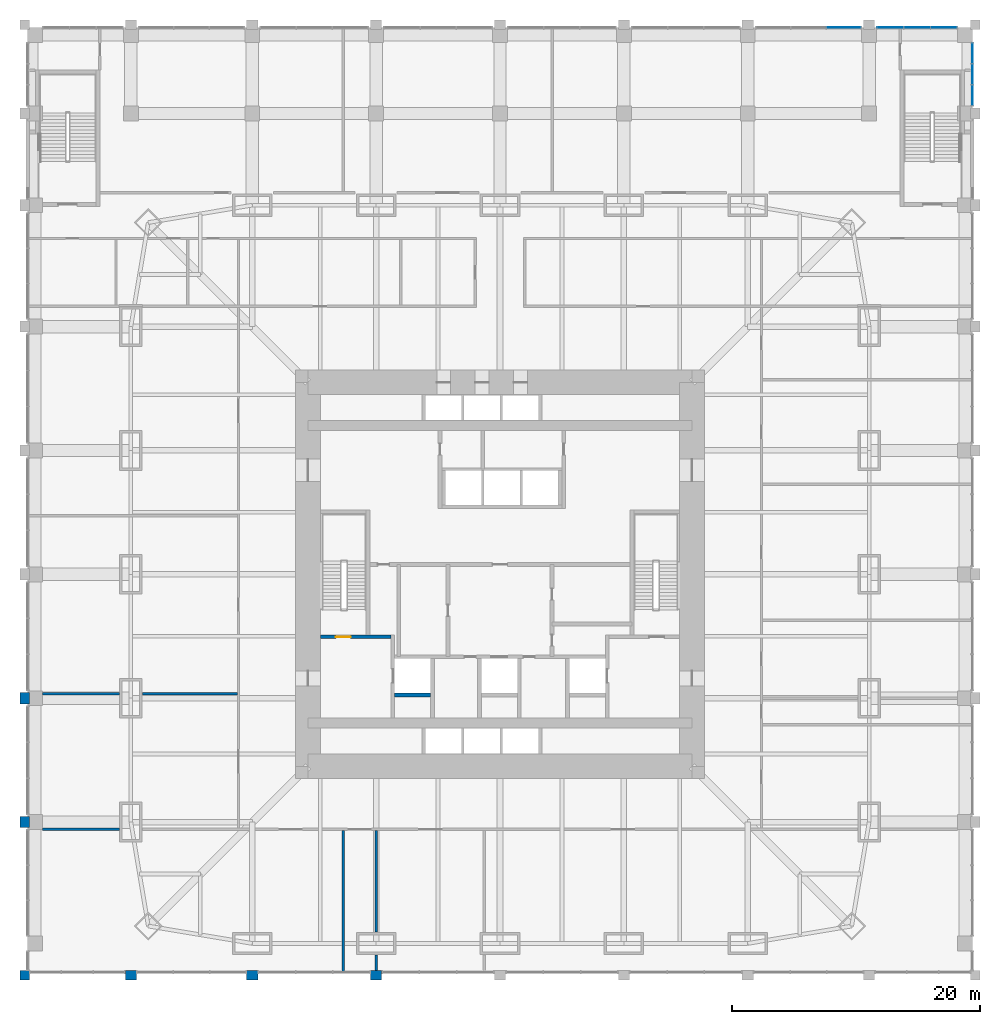
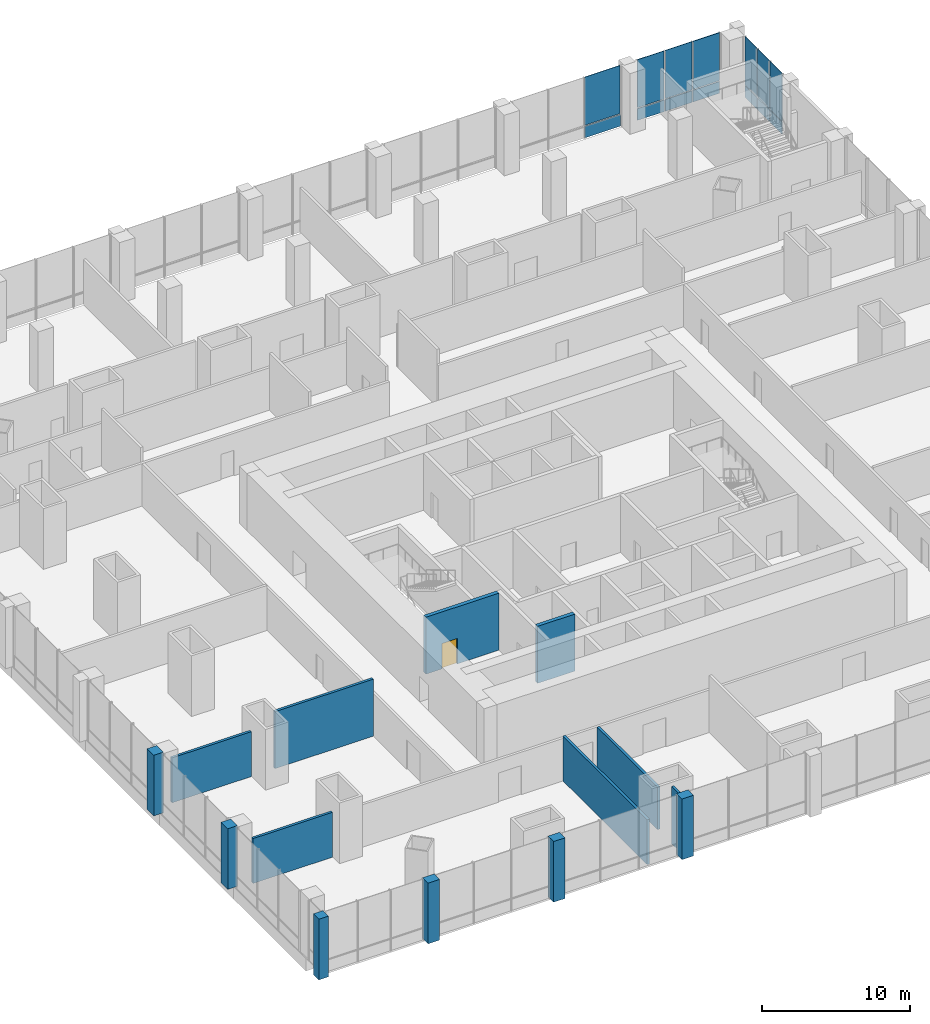
# One storey, part 16 of 24: 14 plates, 14 walls, 1 door, 1 opening, 3 elements without a shape of their own.
"""IFC4 building model written with IfcOpenShell, lengths in metres."""

from ifc_helpers import new_model, si_unit, direction, frame, frame_2d, origin, origin_2d, place, context, subcontext, project, spatial, rectangle, extrude, material, layer, layer_set, type_object, element, fill, aggregate, save


model = new_model("IFC4")

# Units and contexts
model_context = context("Model", 3, precision=1e-05, world=origin(), true_north=direction((0.0, 1.0)))
body_context = subcontext(model_context, "Body", "Model", "MODEL_VIEW")
ifc_project = project(units=[si_unit("LENGTHUNIT", "METRE"), si_unit("AREAUNIT", "SQUARE_METRE"), si_unit("VOLUMEUNIT", "CUBIC_METRE"), si_unit("PLANEANGLEUNIT", "RADIAN"), si_unit("MASSUNIT", "GRAM", prefix="KILO")], contexts=[model_context])

# Site, building, storey
site_placement = place(None, origin())
site = spatial("IfcSite", under=ifc_project, at=site_placement, CompositionType="ELEMENT")
building_placement = place(site_placement, origin())
building = spatial("IfcBuilding", under=site, at=building_placement, Name="Khuree Lantern Residences", CompositionType="ELEMENT")
storey_placement = place(building_placement, frame((0.0, 0.0, 6.0)))
storey = spatial("IfcBuildingStorey", under=building, at=storey_placement, Name="L01", CompositionType="ELEMENT", Elevation=6.0)

# Curtain wall, plates
ifc_material_1 = material(Name="Bronze anodised aluminium", Category="aluminium")
curtain_wall_type = type_object("IfcCurtainWallType", Name="CW-P PODIUM STOREFRONT CURTAIN WALL", PredefinedType="USERDEFINED", material=ifc_material_1)
curtain_wall_1_placement = place(storey_placement, origin())
curtain_wall_1 = element("IfcCurtainWall", 1, at=curtain_wall_1_placement, inside=storey, type_object=curtain_wall_type, Name="L01 EAST FACE BAY 8 STOREFRONT", ObjectType="Storefront curtain wall", PredefinedType="USERDEFINED")
ifc_material_2 = material(Name="Bronze tinted laminated triple glazing", Category="glass")
ifc_layer_1 = layer(ifc_material_2, 0.0400390625)
ifc_layer_set_1 = layer_set([ifc_layer_1], Name="STOREFRONT GLASS PANEL P9")
plate_type_1 = type_object("IfcPlateType", Name="STOREFRONT GLASS PANEL P9", PredefinedType="CURTAIN_PANEL", material=ifc_layer_set_1)
plate_1_placement = place(storey_placement, frame((38.14990234375, 38.683349609375, 1.03759765625), z_axis=(0.0, 0.0, 1.0), x_axis=(0.0, 1.0, 0.0)))
plate_1 = element("IfcPlate", 2, at=plate_1_placement, type_object=plate_type_1, Name="L01 EAST FACE BAY 8 PANEL 1.2", PredefinedType="CURTAIN_PANEL", context=body_context, shape_type="SweptSolid", body=[
    extrude(rectangle(XDim=1.61669921875, YDim=0.0400390625, at=origin_2d()), origin(), (0.0, 0.0, 1.0), 3.96240234375),
])
plate_2_placement = place(storey_placement, frame((38.14990234375, 40.375, 1.03759765625), z_axis=(0.0, 0.0, 1.0), x_axis=(0.0, 1.0, 0.0)))
plate_2 = element("IfcPlate", 3, at=plate_2_placement, type_object=plate_type_1, Name="L01 EAST FACE BAY 8 PANEL 2.2", PredefinedType="CURTAIN_PANEL", context=body_context, shape_type="SweptSolid", body=[
    extrude(rectangle(XDim=1.61669921875, YDim=0.0400390625, at=origin_2d()), origin(), (0.0, 0.0, 1.0), 3.96240234375),
])
plate_3_placement = place(storey_placement, frame((38.14990234375, 42.066650390625, 1.03759765625), z_axis=(0.0, 0.0, 1.0), x_axis=(0.0, 1.0, 0.0)))
plate_3 = element("IfcPlate", 4, at=plate_3_placement, type_object=plate_type_1, Name="L01 EAST FACE BAY 8 PANEL 3.2", PredefinedType="CURTAIN_PANEL", context=body_context, shape_type="SweptSolid", body=[
    extrude(rectangle(XDim=1.61669921875, YDim=0.0400390625, at=origin_2d()), origin(), (0.0, 0.0, 1.0), 3.96240234375),
])

curtain_wall_2_placement = place(storey_placement, origin())
curtain_wall_2 = element("IfcCurtainWall", 5, at=curtain_wall_2_placement, inside=storey, type_object=curtain_wall_type, Name="L01 NORTH FACE BAY 1 STOREFRONT", ObjectType="Storefront curtain wall", PredefinedType="USERDEFINED")
plate_4_placement = place(storey_placement, frame((35.833251953125, 44.14990234375, 1.03759765625), z_axis=(0.0, 0.0, 1.0), x_axis=(-1.0, 0.0, 0.0)))
plate_4 = element("IfcPlate", 6, at=plate_4_placement, type_object=plate_type_1, Name="L01 NORTH FACE BAY 1 PANEL 1.2", PredefinedType="CURTAIN_PANEL", context=body_context, shape_type="SweptSolid", body=[
    extrude(rectangle(XDim=2.083251953125, YDim=0.0400390625, at=origin_2d()), origin(), (0.0, 0.0, 1.0), 3.96240234375),
])
plate_5_placement = place(storey_placement, frame((33.675048828125, 44.14990234375, 1.03759765625), z_axis=(0.0, 0.0, 1.0), x_axis=(-1.0, 0.0, 0.0)))
plate_5 = element("IfcPlate", 7, at=plate_5_placement, type_object=plate_type_1, Name="L01 NORTH FACE BAY 1 PANEL 2.2", PredefinedType="CURTAIN_PANEL", context=body_context, shape_type="SweptSolid", body=[
    extrude(rectangle(XDim=2.083251953125, YDim=0.0400390625, at=origin_2d()), origin(), (0.0, 0.0, 1.0), 3.96240234375),
])
plate_6_placement = place(storey_placement, frame((31.5166015625, 44.14990234375, 1.03759765625), z_axis=(0.0, 0.0, 1.0), x_axis=(-1.0, 0.0, 0.0)))
plate_6 = element("IfcPlate", 8, at=plate_6_placement, type_object=plate_type_1, Name="L01 NORTH FACE BAY 1 PANEL 3.2", PredefinedType="CURTAIN_PANEL", context=body_context, shape_type="SweptSolid", body=[
    extrude(rectangle(XDim=2.083251953125, YDim=0.0400390625, at=origin_2d()), origin(), (0.0, 0.0, 1.0), 3.96240234375),
])

# Curtain wall, plate
curtain_wall_3_placement = place(storey_placement, origin())
curtain_wall_3 = element("IfcCurtainWall", 9, at=curtain_wall_3_placement, inside=storey, type_object=curtain_wall_type, Name="L01 NORTH FACE BAY 2 STOREFRONT", ObjectType="Storefront curtain wall", PredefinedType="USERDEFINED")
plate_7_placement = place(storey_placement, frame((27.74169921875, 44.14990234375, 1.03759765625), z_axis=(0.0, 0.0, 1.0), x_axis=(-1.0, 0.0, 0.0)))
plate_7 = element("IfcPlate", 10, at=plate_7_placement, type_object=plate_type_1, Name="L01 NORTH FACE BAY 2 PANEL 1.2", PredefinedType="CURTAIN_PANEL", context=body_context, shape_type="SweptSolid", body=[
    extrude(rectangle(XDim=2.7666015625, YDim=0.0400390625, at=origin_2d()), origin(), (0.0, 0.0, 1.0), 3.96240234375),
])

# Plate
ifc_material_3 = material(Name="Bronze anodised aluminium insulated spandrel", Category="aluminium")
ifc_layer_2 = layer(ifc_material_3, 0.06005859375)
ifc_layer_set_2 = layer_set([ifc_layer_2], Name="STOREFRONT SPANDREL PANEL P10")
plate_type_2 = type_object("IfcPlateType", Name="STOREFRONT SPANDREL PANEL P10", PredefinedType="CURTAIN_PANEL", material=ifc_layer_set_2)
plate_8_placement = place(storey_placement, frame((38.14990234375, 38.683349609375, 0.0), z_axis=(0.0, 0.0, 1.0), x_axis=(0.0, 1.0, 0.0)))
plate_8 = element("IfcPlate", 11, at=plate_8_placement, type_object=plate_type_2, Name="L01 EAST FACE BAY 8 PANEL 1.1", PredefinedType="CURTAIN_PANEL", context=body_context, shape_type="SweptSolid", body=[
    extrude(rectangle(XDim=1.61669921875, YDim=0.06005859375, at=origin_2d()), origin(), (0.0, 0.0, 1.0), 0.96240234375),
])

plate_9_placement = place(storey_placement, frame((38.14990234375, 40.375, 0.0), z_axis=(0.0, 0.0, 1.0), x_axis=(0.0, 1.0, 0.0)))
plate_9 = element("IfcPlate", 12, at=plate_9_placement, type_object=plate_type_2, Name="L01 EAST FACE BAY 8 PANEL 2.1", PredefinedType="CURTAIN_PANEL", context=body_context, shape_type="SweptSolid", body=[
    extrude(rectangle(XDim=1.61669921875, YDim=0.06005859375, at=origin_2d()), origin(), (0.0, 0.0, 1.0), 0.96240234375),
])

plate_10_placement = place(storey_placement, frame((38.14990234375, 42.066650390625, 0.0), z_axis=(0.0, 0.0, 1.0), x_axis=(0.0, 1.0, 0.0)))
plate_10 = element("IfcPlate", 13, at=plate_10_placement, type_object=plate_type_2, Name="L01 EAST FACE BAY 8 PANEL 3.1", PredefinedType="CURTAIN_PANEL", context=body_context, shape_type="SweptSolid", body=[
    extrude(rectangle(XDim=1.61669921875, YDim=0.06005859375, at=origin_2d()), origin(), (0.0, 0.0, 1.0), 0.96240234375),
])

aggregate(curtain_wall_1, [plate_8, plate_1, plate_9, plate_2, plate_10, plate_3])

plate_11_placement = place(storey_placement, frame((35.833251953125, 44.14990234375, 0.0), z_axis=(0.0, 0.0, 1.0), x_axis=(-1.0, 0.0, 0.0)))
plate_11 = element("IfcPlate", 14, at=plate_11_placement, type_object=plate_type_2, Name="L01 NORTH FACE BAY 1 PANEL 1.1", PredefinedType="CURTAIN_PANEL", context=body_context, shape_type="SweptSolid", body=[
    extrude(rectangle(XDim=2.083251953125, YDim=0.06005859375, at=origin_2d()), origin(), (0.0, 0.0, 1.0), 0.96240234375),
])

plate_12_placement = place(storey_placement, frame((33.675048828125, 44.14990234375, 0.0), z_axis=(0.0, 0.0, 1.0), x_axis=(-1.0, 0.0, 0.0)))
plate_12 = element("IfcPlate", 15, at=plate_12_placement, type_object=plate_type_2, Name="L01 NORTH FACE BAY 1 PANEL 2.1", PredefinedType="CURTAIN_PANEL", context=body_context, shape_type="SweptSolid", body=[
    extrude(rectangle(XDim=2.083251953125, YDim=0.06005859375, at=origin_2d()), origin(), (0.0, 0.0, 1.0), 0.96240234375),
])

plate_13_placement = place(storey_placement, frame((31.5166015625, 44.14990234375, 0.0), z_axis=(0.0, 0.0, 1.0), x_axis=(-1.0, 0.0, 0.0)))
plate_13 = element("IfcPlate", 16, at=plate_13_placement, type_object=plate_type_2, Name="L01 NORTH FACE BAY 1 PANEL 3.1", PredefinedType="CURTAIN_PANEL", context=body_context, shape_type="SweptSolid", body=[
    extrude(rectangle(XDim=2.083251953125, YDim=0.06005859375, at=origin_2d()), origin(), (0.0, 0.0, 1.0), 0.96240234375),
])

aggregate(curtain_wall_2, [plate_11, plate_4, plate_12, plate_5, plate_13, plate_6])

plate_14_placement = place(storey_placement, frame((27.74169921875, 44.14990234375, 0.0), z_axis=(0.0, 0.0, 1.0), x_axis=(-1.0, 0.0, 0.0)))
plate_14 = element("IfcPlate", 17, at=plate_14_placement, type_object=plate_type_2, Name="L01 NORTH FACE BAY 2 PANEL 1.1", PredefinedType="CURTAIN_PANEL", context=body_context, shape_type="SweptSolid", body=[
    extrude(rectangle(XDim=2.7666015625, YDim=0.06005859375, at=origin_2d()), origin(), (0.0, 0.0, 1.0), 0.96240234375),
])

aggregate(curtain_wall_3, [plate_14, plate_7])

# Walls
ifc_material_4 = material(Name="Dense concrete blockwork", Category="masonry")
ifc_layer_3 = layer(ifc_material_4, 0.300048828125)
ifc_layer_set_3 = layer_set([ifc_layer_3], Name="CORE PARTITION WALL CPW300 EI 120")
wall_type_1 = type_object("IfcWallType", Name="CORE PARTITION WALL CPW300 EI 120", PredefinedType="PARTITIONING", material=ifc_layer_set_3)
wall_1_placement = place(storey_placement, frame((-8.5, -9.75, 0.0), z_axis=(0.0, 0.0, 1.0), x_axis=(1.0, 0.0, 0.0)))
element("IfcWall", 18, at=wall_1_placement, inside=storey, type_object=wall_type_1, Name="L01 CORE WALL FL1S", PredefinedType="PARTITIONING", context=body_context, shape_type="SweptSolid", body=[
    extrude(rectangle(XDim=2.89990234375, YDim=0.300048828125, at=frame_2d((1.449951171875, 0.0))), origin(), (0.0, 0.0, 1.0), 4.699951171875),
])
ifc_material_5 = material(Name="Flamed granite cladding on blockwork", Category="masonry")
ifc_layer_4 = layer(ifc_material_5, 0.75)
ifc_layer_set_4 = layer_set([ifc_layer_4], Name="PODIUM PIER PR1 900X750")
wall_type_2 = type_object("IfcWallType", Name="PODIUM PIER PR1 900X750", PredefinedType="SOLIDWALL", material=ifc_layer_set_4)
for number, where, z_axis, x_axis, name in (
    (19, (-30.25, -32.375, 0.0), (0.0, 0.0, 1.0), (1.0, 0.0, 0.0), "L01 SOUTH FACE PIER 1"),
    (20, (-20.449951171875, -32.375, 0.0), (0.0, 0.0, 1.0), (1.0, 0.0, 0.0), "L01 SOUTH FACE PIER 2"),
    (21, (-10.449951171875, -32.375, 0.0), (0.0, 0.0, 1.0), (1.0, 0.0, 0.0), "L01 SOUTH FACE PIER 3"),
    (22, (-38.375, -9.550048828125, 0.0), (0.0, 0.0, 1.0), (0.0, -1.0, 0.0), "L01 WEST FACE PIER 6"),
    (23, (-38.375, -19.550048828125, 0.0), (0.0, 0.0, 1.0), (0.0, -1.0, 0.0), "L01 WEST FACE PIER 7"),
):
    element("IfcWall", number, at=place(storey_placement, frame(where, z_axis=z_axis, x_axis=x_axis)), inside=storey, type_object=wall_type_2, Name=name, PredefinedType="SOLIDWALL", context=body_context, shape_type="SweptSolid", body=[
        extrude(rectangle(XDim=0.89990234375, YDim=0.75, at=frame_2d((0.449951171875, 0.0))), origin(), (0.0, 0.0, 1.0), 5.0),
    ])
wall_2_placement = place(storey_placement, frame((-38.375, -32.0, 0.0), z_axis=(0.0, 0.0, 1.0), x_axis=(0.0, -1.0, 0.0)))
element("IfcWall", 24, at=wall_2_placement, inside=storey, type_object=wall_type_2, Name="L01 WEST FACE PIER 8", PredefinedType="SOLIDWALL", context=body_context, shape_type="SweptSolid", body=[
    extrude(rectangle(XDim=0.75, YDim=0.75, at=frame_2d((0.375, 0.0))), origin(), (0.0, 0.0, 1.0), 5.0),
])
ifc_layer_5 = layer(ifc_material_4, 0.199951171875)
ifc_layer_set_5 = layer_set([ifc_layer_5], Name="ROOM WALL RMW200")
wall_type_3 = type_object("IfcWallType", Name="ROOM WALL RMW200", PredefinedType="SOLIDWALL", material=ifc_layer_set_5)
wall_3_placement = place(storey_placement, frame((-12.6669921875, -32.074951171875, 0.0), z_axis=(0.0, 0.0, 1.0), x_axis=(0.0, 1.0, 0.0)))
element("IfcWall", 25, at=wall_3_placement, inside=storey, type_object=wall_type_3, Name="L01 ROOM WALL 1", PredefinedType="SOLIDWALL", context=body_context, shape_type="SweptSolid", body=[
    extrude(rectangle(XDim=11.384033203125, YDim=0.199951171875, at=frame_2d((5.69189453125, 0.0))), origin(), (0.0, 0.0, 1.0), 3.699951171875),
])
wall_4_placement = place(storey_placement, frame((-10.0, -31.97998046875, 0.0), z_axis=(0.0, 0.0, 1.0), x_axis=(0.0, 1.0, 0.0)))
element("IfcWall", 26, at=wall_4_placement, inside=storey, type_object=wall_type_3, Name="L01 ROOM WALL 3", PredefinedType="SOLIDWALL", context=body_context, shape_type="SweptSolid", body=[
    extrude(rectangle(XDim=1.25, YDim=0.199951171875, at=frame_2d((0.625, 0.0))), origin(), (0.0, 0.0, 1.0), 4.699951171875),
])
wall_5_placement = place(storey_placement, frame((-10.0, -28.869873046875, 0.0), z_axis=(0.0, 0.0, 1.0), x_axis=(0.0, 1.0, 0.0)))
element("IfcWall", 27, at=wall_5_placement, inside=storey, type_object=wall_type_3, Name="L01 ROOM WALL 4", PredefinedType="SOLIDWALL", context=body_context, shape_type="SweptSolid", body=[
    extrude(rectangle(XDim=8.178955078125, YDim=0.199951171875, at=frame_2d((4.08935546875, 0.0))), origin(), (0.0, 0.0, 1.0), 3.5),
])
for number, where, z_axis, x_axis, name in (
    (28, (-36.919921875, -20.591064453125, 0.0), (0.0, 0.0, 1.0), (1.0, 0.0, 0.0), "L01 ROOM WALL 6"),
    (29, (-36.919921875, -9.631103515625, 0.0), (0.0, 0.0, 1.0), (1.0, 0.0, 0.0), "L01 ROOM WALL 14"),
):
    element("IfcWall", number, at=place(storey_placement, frame(where, z_axis=z_axis, x_axis=x_axis)), inside=storey, type_object=wall_type_3, Name=name, PredefinedType="SOLIDWALL", context=body_context, shape_type="SweptSolid", body=[
        extrude(rectangle(XDim=6.18994140625, YDim=0.199951171875, at=frame_2d((3.094970703125, 0.0))), origin(), (0.0, 0.0, 1.0), 3.699951171875),
    ])
wall_6_placement = place(storey_placement, frame((-28.869873046875, -9.631103515625, 0.0), z_axis=(0.0, 0.0, 1.0), x_axis=(1.0, 0.0, 0.0)))
element("IfcWall", 30, at=wall_6_placement, inside=storey, type_object=wall_type_3, Name="L01 ROOM WALL 15", PredefinedType="SOLIDWALL", context=body_context, shape_type="SweptSolid", body=[
    extrude(rectangle(XDim=7.658935546875, YDim=0.199951171875, at=frame_2d((3.82958984375, 0.0))), origin(), (0.0, 0.0, 1.0), 4.699951171875),
])

# Wall, opening, door
ifc_material_6 = material(Name="Concrete C50/60", Category="concrete")
ifc_layer_6 = layer(ifc_material_6, 0.300048828125)
ifc_layer_set_6 = layer_set([ifc_layer_6], Name="STAIR WALL SRW300 C50/60 REI 240")
wall_type_4 = type_object("IfcWallType", Name="STAIR WALL SRW300 C50/60 REI 240", PredefinedType="SOLIDWALL", material=ifc_layer_set_6)
wall_7_placement = place(storey_placement, frame((-14.5, -5.050048828125, 0.0), z_axis=(0.0, 0.0, 1.0), x_axis=(1.0, 0.0, 0.0)))
wall_7 = element("IfcWall", 31, at=wall_7_placement, inside=storey, type_object=wall_type_4, Name="L01 STAIR WALL ST1S", PredefinedType="SOLIDWALL", context=body_context, shape_type="SweptSolid", body=[
    extrude(rectangle(XDim=5.699951171875, YDim=0.300048828125, at=frame_2d((2.85009765625, 0.0))), origin(), (0.0, 0.0, 1.0), 4.699951171875),
])
opening_placement = place(wall_7_placement, frame((1.25, 0.0, 0.0)))
opening = element("IfcOpeningElement", 32, at=opening_placement, cuts=wall_7, Name="Opening 01-001", PredefinedType="OPENING", context=body_context, shape_type="SweptSolid", body=[
    extrude(rectangle(XDim=1.199951171875, YDim=2.10009765625, at=frame_2d((0.60009765625, 1.050048828125))), frame((0.0, 0.16015625, 0.0), z_axis=(0.0, -1.0, 0.0), x_axis=(1.0, 0.0, 0.0)), (0.0, 0.0, 1.0), 0.320068359375),
])
ifc_material_7 = material(Name="Steel door leaf in steel frame", Category="steel")
door_type = type_object("IfcDoorType", Name="STAIR DOOR 1200X2100 EI 120", OperationType="SINGLE_SWING_LEFT", PredefinedType="DOOR", material=ifc_material_7)
door_placement = place(opening_placement, origin())
door = element("IfcDoor", 33, at=door_placement, inside=storey, type_object=door_type, Name="Stair ST1 door 01-001", OperationType="SINGLE_SWING_LEFT", OverallHeight=2.10009765625, OverallWidth=1.199951171875, PredefinedType="DOOR", context=body_context, shape_type="SweptSolid", body=[
    extrude(rectangle(XDim=1.199951171875, YDim=2.10009765625, at=frame_2d((0.60009765625, 1.050048828125))), frame((0.0, 0.02490234375, 0.0), z_axis=(0.0, -1.0, 0.0), x_axis=(1.0, 0.0, 0.0)), (0.0, 0.0, 1.0), 0.050048828125),
])
fill(opening, door)

save(model, "model.ifc")
